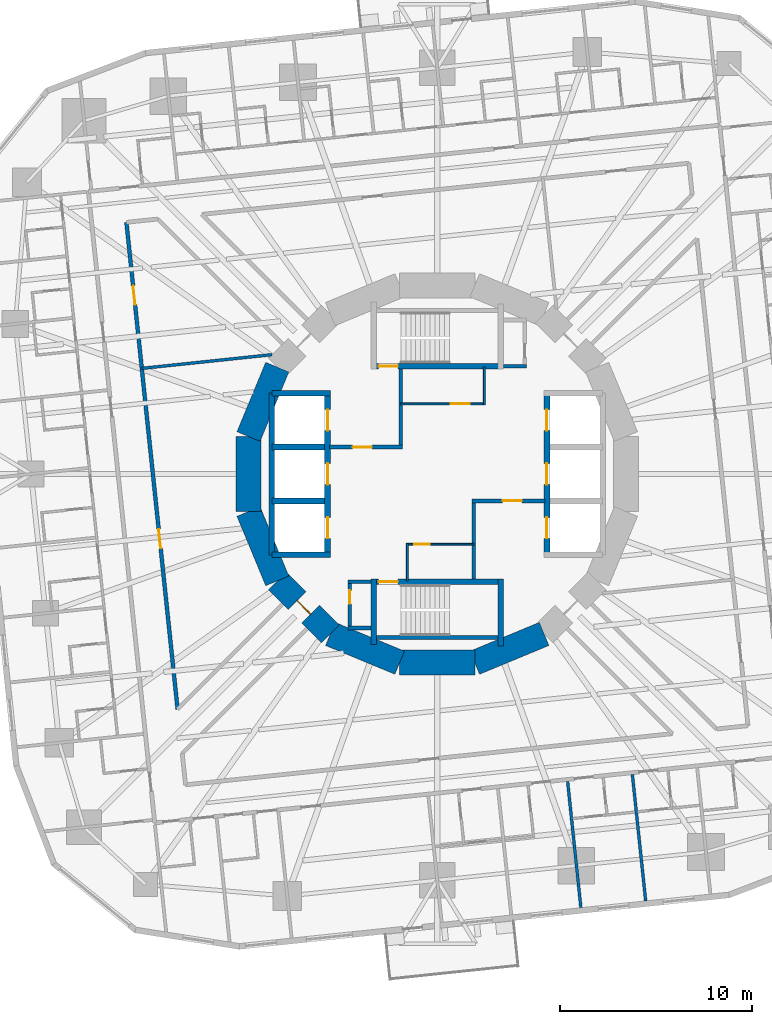
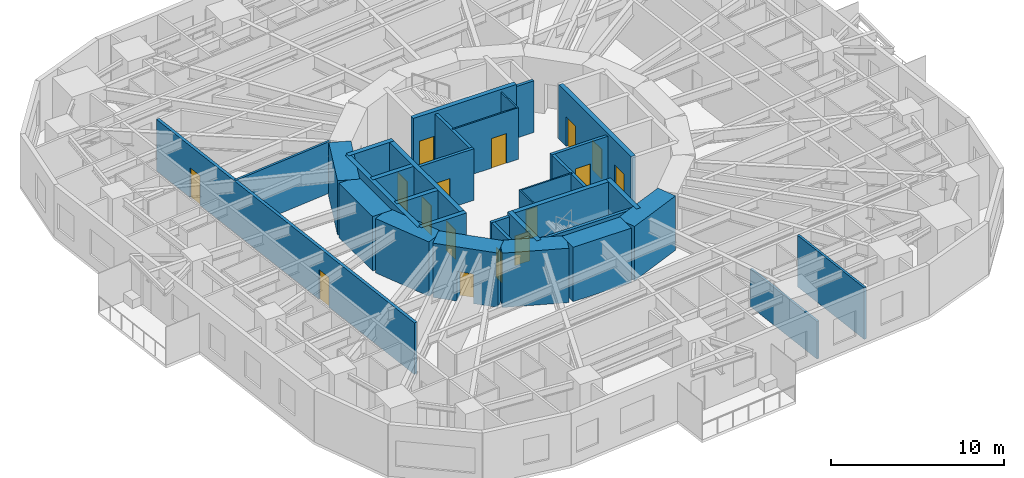
# One storey, part 7 of 15: 35 walls, 16 doors, 16 openings.
"""IFC4 building model written with IfcOpenShell, lengths in metres."""

from ifc_helpers import new_model, si_unit, direction, frame, frame_2d, origin, place, context, subcontext, project, spatial, rectangle, extrude, material, layer, layer_set, type_object, element, fill, save


model = new_model("IFC4")

# Units and contexts
model_context = context("Model", 3, precision=1e-05, world=origin(), true_north=direction((0.0, 1.0)))
body_context = subcontext(model_context, "Body", "Model", "MODEL_VIEW")
ifc_project = project(units=[si_unit("LENGTHUNIT", "METRE"), si_unit("AREAUNIT", "SQUARE_METRE"), si_unit("VOLUMEUNIT", "CUBIC_METRE"), si_unit("PLANEANGLEUNIT", "RADIAN"), si_unit("MASSUNIT", "GRAM", prefix="KILO")], contexts=[model_context])

# Site, building, storey
site_placement = place(None, origin())
site = spatial("IfcSite", under=ifc_project, at=site_placement, CompositionType="ELEMENT")
building_placement = place(site_placement, origin())
building = spatial("IfcBuilding", under=site, at=building_placement, Name="Nakasero Lantern House", CompositionType="ELEMENT")
storey_placement = place(building_placement, frame((0.0, 0.0, 64.35009765625)))
storey = spatial("IfcBuildingStorey", under=building, at=storey_placement, Name="L15", CompositionType="ELEMENT", Elevation=64.35009765625)

# Wall, openings, doors
ifc_material_1 = material(Name="Concrete C50/60", Category="concrete")
ifc_layer_1 = layer(ifc_material_1, 0.300048828125)
ifc_layer_set_1 = layer_set([ifc_layer_1], Name="Core inner wall 300")
wall_type_1 = type_object("IfcWallType", Name="Core inner wall 300", PredefinedType="SHEAR", material=ifc_layer_set_1)
wall_1_placement = place(storey_placement, frame((-5.699951171875, -4.199951171875, 0.0), z_axis=(0.0, 0.0, 1.0), x_axis=(0.0, 1.0, 0.0)))
wall_1 = element("IfcWall", 1, at=wall_1_placement, inside=storey, type_object=wall_type_1, Name="Core inner wall L15 LW", PredefinedType="SHEAR", context=body_context, shape_type="SweptSolid", body=[
    extrude(rectangle(XDim=8.39990234375, YDim=0.300048828125, at=frame_2d((4.199951171875, 0.0))), origin(), (0.0, 0.0, 1.0), 3.849853515625),
])
opening_1_placement = place(wall_1_placement, frame((0.85009765625, 0.0, 0.0)))
opening_1 = element("IfcOpeningElement", 2, at=opening_1_placement, cuts=wall_1, Name="Opening LD", PredefinedType="OPENING", context=body_context, shape_type="SweptSolid", body=[
    extrude(rectangle(XDim=1.10009765625, YDim=2.10009765625, at=frame_2d((0.550048828125, 1.050048828125))), frame((0.0, 0.169921875, 0.0), z_axis=(0.0, -1.0, 0.0), x_axis=(1.0, 0.0, 0.0)), (0.0, 0.0, 1.0), 0.340087890625),
])
opening_2_placement = place(wall_1_placement, frame((3.64990234375, 0.0, 0.0)))
opening_2 = element("IfcOpeningElement", 3, at=opening_2_placement, cuts=wall_1, Name="Opening LD", PredefinedType="OPENING", context=body_context, shape_type="SweptSolid", body=[
    extrude(rectangle(XDim=1.10009765625, YDim=2.10009765625, at=frame_2d((0.550048828125, 1.050048828125))), frame((0.0, 0.169921875, 0.0), z_axis=(0.0, -1.0, 0.0), x_axis=(1.0, 0.0, 0.0)), (0.0, 0.0, 1.0), 0.340087890625),
])
opening_3_placement = place(wall_1_placement, frame((6.449951171875, 0.0, 0.0)))
opening_3 = element("IfcOpeningElement", 4, at=opening_3_placement, cuts=wall_1, Name="Opening LD", PredefinedType="OPENING", context=body_context, shape_type="SweptSolid", body=[
    extrude(rectangle(XDim=1.10009765625, YDim=2.10009765625, at=frame_2d((0.550048828125, 1.050048828125))), frame((0.0, 0.169921875, 0.0), z_axis=(0.0, -1.0, 0.0), x_axis=(1.0, 0.0, 0.0)), (0.0, 0.0, 1.0), 0.340087890625),
])
ifc_material_2 = material(Name="Steel S355", Category="steel")
door_type_1 = type_object("IfcDoorType", Name="Lift landing door E120 1100", OperationType="SLIDING_TO_LEFT", PredefinedType="DOOR", material=ifc_material_2)
door_1_placement = place(opening_1_placement, origin())
door_1 = element("IfcDoor", 5, at=door_1_placement, inside=storey, type_object=door_type_1, Name="Lift landing door LW1", OperationType="SLIDING_TO_LEFT", OverallHeight=2.10009765625, OverallWidth=1.10009765625, PredefinedType="DOOR", context=body_context, shape_type="SweptSolid", body=[
    extrude(rectangle(XDim=1.10009765625, YDim=2.10009765625, at=frame_2d((0.550048828125, 1.050048828125))), frame((0.0, 0.02490234375, 0.0), z_axis=(0.0, -1.0, 0.0), x_axis=(1.0, 0.0, 0.0)), (0.0, 0.0, 1.0), 0.050048828125),
])
fill(opening_1, door_1)
door_2_placement = place(opening_2_placement, origin())
door_2 = element("IfcDoor", 6, at=door_2_placement, inside=storey, type_object=door_type_1, Name="Lift landing door LW2", OperationType="SLIDING_TO_LEFT", OverallHeight=2.10009765625, OverallWidth=1.10009765625, PredefinedType="DOOR", context=body_context, shape_type="SweptSolid", body=[
    extrude(rectangle(XDim=1.10009765625, YDim=2.10009765625, at=frame_2d((0.550048828125, 1.050048828125))), frame((0.0, 0.02490234375, 0.0), z_axis=(0.0, -1.0, 0.0), x_axis=(1.0, 0.0, 0.0)), (0.0, 0.0, 1.0), 0.050048828125),
])
fill(opening_2, door_2)
door_3_placement = place(opening_3_placement, origin())
door_3 = element("IfcDoor", 7, at=door_3_placement, inside=storey, type_object=door_type_1, Name="Lift landing door LW3", OperationType="SLIDING_TO_LEFT", OverallHeight=2.10009765625, OverallWidth=1.10009765625, PredefinedType="DOOR", context=body_context, shape_type="SweptSolid", body=[
    extrude(rectangle(XDim=1.10009765625, YDim=2.10009765625, at=frame_2d((0.550048828125, 1.050048828125))), frame((0.0, 0.02490234375, 0.0), z_axis=(0.0, -1.0, 0.0), x_axis=(1.0, 0.0, 0.0)), (0.0, 0.0, 1.0), 0.050048828125),
])
fill(opening_3, door_3)

wall_2_placement = place(storey_placement, frame((5.699951171875, -4.199951171875, 0.0), z_axis=(0.0, 0.0, 1.0), x_axis=(0.0, 1.0, 0.0)))
wall_2 = element("IfcWall", 8, at=wall_2_placement, inside=storey, type_object=wall_type_1, Name="Core inner wall L15 LE", PredefinedType="SHEAR", context=body_context, shape_type="SweptSolid", body=[
    extrude(rectangle(XDim=8.39990234375, YDim=0.300048828125, at=frame_2d((4.199951171875, 0.0))), origin(), (0.0, 0.0, 1.0), 3.849853515625),
])
opening_4_placement = place(wall_2_placement, frame((0.85009765625, 0.0, 0.0)))
opening_4 = element("IfcOpeningElement", 9, at=opening_4_placement, cuts=wall_2, Name="Opening LD", PredefinedType="OPENING", context=body_context, shape_type="SweptSolid", body=[
    extrude(rectangle(XDim=1.10009765625, YDim=2.10009765625, at=frame_2d((0.550048828125, 1.050048828125))), frame((0.0, 0.169921875, 0.0), z_axis=(0.0, -1.0, 0.0), x_axis=(1.0, 0.0, 0.0)), (0.0, 0.0, 1.0), 0.340087890625),
])
opening_5_placement = place(wall_2_placement, frame((3.64990234375, 0.0, 0.0)))
opening_5 = element("IfcOpeningElement", 10, at=opening_5_placement, cuts=wall_2, Name="Opening LD", PredefinedType="OPENING", context=body_context, shape_type="SweptSolid", body=[
    extrude(rectangle(XDim=1.10009765625, YDim=2.10009765625, at=frame_2d((0.550048828125, 1.050048828125))), frame((0.0, 0.169921875, 0.0), z_axis=(0.0, -1.0, 0.0), x_axis=(1.0, 0.0, 0.0)), (0.0, 0.0, 1.0), 0.340087890625),
])
opening_6_placement = place(wall_2_placement, frame((6.449951171875, 0.0, 0.0)))
opening_6 = element("IfcOpeningElement", 11, at=opening_6_placement, cuts=wall_2, Name="Opening LD", PredefinedType="OPENING", context=body_context, shape_type="SweptSolid", body=[
    extrude(rectangle(XDim=1.10009765625, YDim=2.10009765625, at=frame_2d((0.550048828125, 1.050048828125))), frame((0.0, 0.169921875, 0.0), z_axis=(0.0, -1.0, 0.0), x_axis=(1.0, 0.0, 0.0)), (0.0, 0.0, 1.0), 0.340087890625),
])
door_4_placement = place(opening_4_placement, origin())
door_4 = element("IfcDoor", 12, at=door_4_placement, inside=storey, type_object=door_type_1, Name="Lift landing door LE1", OperationType="SLIDING_TO_LEFT", OverallHeight=2.10009765625, OverallWidth=1.10009765625, PredefinedType="DOOR", context=body_context, shape_type="SweptSolid", body=[
    extrude(rectangle(XDim=1.10009765625, YDim=2.10009765625, at=frame_2d((0.550048828125, 1.050048828125))), frame((0.0, 0.02490234375, 0.0), z_axis=(0.0, -1.0, 0.0), x_axis=(1.0, 0.0, 0.0)), (0.0, 0.0, 1.0), 0.050048828125),
])
fill(opening_4, door_4)
door_5_placement = place(opening_5_placement, origin())
door_5 = element("IfcDoor", 13, at=door_5_placement, inside=storey, type_object=door_type_1, Name="Lift landing door LE2", OperationType="SLIDING_TO_LEFT", OverallHeight=2.10009765625, OverallWidth=1.10009765625, PredefinedType="DOOR", context=body_context, shape_type="SweptSolid", body=[
    extrude(rectangle(XDim=1.10009765625, YDim=2.10009765625, at=frame_2d((0.550048828125, 1.050048828125))), frame((0.0, 0.02490234375, 0.0), z_axis=(0.0, -1.0, 0.0), x_axis=(1.0, 0.0, 0.0)), (0.0, 0.0, 1.0), 0.050048828125),
])
fill(opening_5, door_5)
door_6_placement = place(opening_6_placement, origin())
door_6 = element("IfcDoor", 14, at=door_6_placement, inside=storey, type_object=door_type_1, Name="Lift landing door LE3", OperationType="SLIDING_TO_LEFT", OverallHeight=2.10009765625, OverallWidth=1.10009765625, PredefinedType="DOOR", context=body_context, shape_type="SweptSolid", body=[
    extrude(rectangle(XDim=1.10009765625, YDim=2.10009765625, at=frame_2d((0.550048828125, 1.050048828125))), frame((0.0, 0.02490234375, 0.0), z_axis=(0.0, -1.0, 0.0), x_axis=(1.0, 0.0, 0.0)), (0.0, 0.0, 1.0), 0.050048828125),
])
fill(opening_6, door_6)

# Walls
for number, where, z_axis, x_axis, name in (
    (15, (-8.60009765625, 4.199951171875, 0.0), (0.0, 0.0, 1.0), (1.0, 0.0, 0.0), "Core inner wall L15 LWN"),
    (16, (-8.60009765625, -4.199951171875, 0.0), (0.0, 0.0, 1.0), (1.0, 0.0, 0.0), "Core inner wall L15 LWS"),
):
    element("IfcWall", number, at=place(storey_placement, frame(where, z_axis=z_axis, x_axis=x_axis)), inside=storey, type_object=wall_type_1, Name=name, PredefinedType="SHEAR", context=body_context, shape_type="SweptSolid", body=[
        extrude(rectangle(XDim=3.050048828125, YDim=0.300048828125, at=frame_2d((1.52490234375, 0.0))), origin(), (0.0, 0.0, 1.0), 3.849853515625),
    ])
wall_3_placement = place(storey_placement, frame((-8.60009765625, -4.199951171875, 0.0), z_axis=(0.0, 0.0, 1.0), x_axis=(0.0, 1.0, 0.0)))
element("IfcWall", 17, at=wall_3_placement, inside=storey, type_object=wall_type_1, Name="Core inner wall L15 LWB", PredefinedType="SHEAR", context=body_context, shape_type="SweptSolid", body=[
    extrude(rectangle(XDim=8.39990234375, YDim=0.300048828125, at=frame_2d((4.199951171875, 0.0))), origin(), (0.0, 0.0, 1.0), 3.849853515625),
])
for number, where, z_axis, x_axis, name in (
    (18, (-8.60009765625, -1.39990234375, 0.0), (0.0, 0.0, 1.0), (1.0, 0.0, 0.0), "Core inner wall L15 LW1"),
    (19, (-8.60009765625, 1.39990234375, 0.0), (0.0, 0.0, 1.0), (1.0, 0.0, 0.0), "Core inner wall L15 LW2"),
):
    element("IfcWall", number, at=place(storey_placement, frame(where, z_axis=z_axis, x_axis=x_axis)), inside=storey, type_object=wall_type_1, Name=name, PredefinedType="SHEAR", context=body_context, shape_type="SweptSolid", body=[
        extrude(rectangle(XDim=2.75, YDim=0.300048828125, at=frame_2d((1.375, 0.0))), origin(), (0.0, 0.0, 1.0), 3.849853515625),
    ])

# Wall, opening, door
wall_4_placement = place(storey_placement, frame((-3.449951171875, 5.60009765625, 0.0), z_axis=(0.0, 0.0, 1.0), x_axis=(1.0, 0.0, 0.0)))
wall_4 = element("IfcWall", 20, at=wall_4_placement, inside=storey, type_object=wall_type_1, Name="Core inner wall L15 SN", PredefinedType="SHEAR", context=body_context, shape_type="SweptSolid", body=[
    extrude(rectangle(XDim=6.89990234375, YDim=0.300048828125, at=frame_2d((3.449951171875, 0.0))), origin(), (0.0, 0.0, 1.0), 3.849853515625),
])
opening_7_placement = place(wall_4_placement, frame((0.39990234375, 0.0, 0.0)))
opening_7 = element("IfcOpeningElement", 21, at=opening_7_placement, cuts=wall_4, Name="Opening D05", PredefinedType="OPENING", context=body_context, shape_type="SweptSolid", body=[
    extrude(rectangle(XDim=1.0, YDim=2.10009765625, at=frame_2d((0.5, 1.050048828125))), frame((0.0, 0.169921875, 0.0), z_axis=(0.0, -1.0, 0.0), x_axis=(1.0, 0.0, 0.0)), (0.0, 0.0, 1.0), 0.340087890625),
])
ifc_material_3 = material(Name="Timber C24", Category="wood")
door_type_2 = type_object("IfcDoorType", Name="Core door FD60S 1000", OperationType="SINGLE_SWING_LEFT", PredefinedType="DOOR", material=ifc_material_3)
door_7_placement = place(opening_7_placement, origin())
door_7 = element("IfcDoor", 22, at=door_7_placement, inside=storey, type_object=door_type_2, Name="Door L15 D-ST1", OperationType="SINGLE_SWING_LEFT", OverallHeight=2.10009765625, OverallWidth=1.0, PredefinedType="DOOR", context=body_context, shape_type="SweptSolid", body=[
    extrude(rectangle(XDim=1.0, YDim=2.10009765625, at=frame_2d((0.5, 1.050048828125))), frame((0.0, 0.02490234375, 0.0), z_axis=(0.0, -1.0, 0.0), x_axis=(1.0, 0.0, 0.0)), (0.0, 0.0, 1.0), 0.050048828125),
])
fill(opening_7, door_7)

wall_5_placement = place(storey_placement, frame((-3.449951171875, -5.60009765625, 0.0), z_axis=(0.0, 0.0, 1.0), x_axis=(1.0, 0.0, 0.0)))
wall_5 = element("IfcWall", 23, at=wall_5_placement, inside=storey, type_object=wall_type_1, Name="Core inner wall L15 SS", PredefinedType="SHEAR", context=body_context, shape_type="SweptSolid", body=[
    extrude(rectangle(XDim=6.89990234375, YDim=0.300048828125, at=frame_2d((3.449951171875, 0.0))), origin(), (0.0, 0.0, 1.0), 3.849853515625),
])
opening_8_placement = place(wall_5_placement, frame((0.39990234375, 0.0, 0.0)))
opening_8 = element("IfcOpeningElement", 24, at=opening_8_placement, cuts=wall_5, Name="Opening D05", PredefinedType="OPENING", context=body_context, shape_type="SweptSolid", body=[
    extrude(rectangle(XDim=1.0, YDim=2.10009765625, at=frame_2d((0.5, 1.050048828125))), frame((0.0, 0.169921875, 0.0), z_axis=(0.0, -1.0, 0.0), x_axis=(1.0, 0.0, 0.0)), (0.0, 0.0, 1.0), 0.340087890625),
])
door_8_placement = place(opening_8_placement, origin())
door_8 = element("IfcDoor", 25, at=door_8_placement, inside=storey, type_object=door_type_2, Name="Door L15 D-ST2", OperationType="SINGLE_SWING_LEFT", OverallHeight=2.10009765625, OverallWidth=1.0, PredefinedType="DOOR", context=body_context, shape_type="SweptSolid", body=[
    extrude(rectangle(XDim=1.0, YDim=2.10009765625, at=frame_2d((0.5, 1.050048828125))), frame((0.0, 0.02490234375, 0.0), z_axis=(0.0, -1.0, 0.0), x_axis=(1.0, 0.0, 0.0)), (0.0, 0.0, 1.0), 0.050048828125),
])
fill(opening_8, door_8)

# Walls
wall_6_placement = place(storey_placement, frame((-3.300048828125, -5.449951171875, 0.0), z_axis=(0.0, 0.0, 1.0), x_axis=(0.0, -1.0, 0.0)))
element("IfcWall", 26, at=wall_6_placement, inside=storey, type_object=wall_type_1, Name="Core inner wall L15 SSW", PredefinedType="SHEAR", context=body_context, shape_type="SweptSolid", body=[
    extrude(rectangle(XDim=3.400146484375, YDim=0.300048828125, at=frame_2d((1.7001953125, 0.0))), origin(), (0.0, 0.0, 1.0), 3.849853515625),
])
wall_7_placement = place(storey_placement, frame((3.300048828125, -5.449951171875, 0.0), z_axis=(0.0, 0.0, 1.0), x_axis=(0.0, -1.0, 0.0)))
element("IfcWall", 27, at=wall_7_placement, inside=storey, type_object=wall_type_1, Name="Core inner wall L15 SSE", PredefinedType="SHEAR", context=body_context, shape_type="SweptSolid", body=[
    extrude(rectangle(XDim=3.5, YDim=0.300048828125, at=frame_2d((1.75, 0.0))), origin(), (0.0, 0.0, 1.0), 3.849853515625),
])

# Wall, opening, door
ifc_material_4 = material(Name="Blockwork", Category="masonry")
ifc_layer_2 = layer(ifc_material_4, 0.10009765625)
ifc_layer_set_2 = layer_set([ifc_layer_2], Name="Core room wall 100")
wall_type_2 = type_object("IfcWallType", Name="Core room wall 100", PredefinedType="PARTITIONING", material=ifc_layer_set_2)
wall_8_placement = place(storey_placement, frame((-1.89990234375, 3.64990234375, 0.0), z_axis=(0.0, 0.0, 1.0), x_axis=(1.0, 0.0, 0.0)))
wall_8 = element("IfcWall", 28, at=wall_8_placement, inside=storey, type_object=wall_type_2, Name="Core room wall L15 CR-NES", PredefinedType="PARTITIONING", context=body_context, shape_type="SweptSolid", body=[
    extrude(rectangle(XDim=4.39990234375, YDim=0.10009765625, at=frame_2d((2.199951171875, 0.0))), origin(), (0.0, 0.0, 1.0), 3.64990234375),
])
opening_9_placement = place(wall_8_placement, frame((2.60009765625, 0.0, 0.0)))
opening_9 = element("IfcOpeningElement", 29, at=opening_9_placement, cuts=wall_8, Name="Opening D07", PredefinedType="OPENING", context=body_context, shape_type="SweptSolid", body=[
    extrude(rectangle(XDim=1.0, YDim=2.10009765625, at=frame_2d((0.5, 1.050048828125))), frame((0.0, 0.070068359375, 0.0), z_axis=(0.0, -1.0, 0.0), x_axis=(1.0, 0.0, 0.0)), (0.0, 0.0, 1.0), 0.14013671875),
])
ifc_material_5 = material(Name="Timber C24", Category="wood")
door_type_3 = type_object("IfcDoorType", Name="Room door FD30S 1000", OperationType="SINGLE_SWING_LEFT", PredefinedType="DOOR", material=ifc_material_5)
door_9_placement = place(opening_9_placement, origin())
door_9 = element("IfcDoor", 30, at=door_9_placement, inside=storey, type_object=door_type_3, Name="Door L15 D-CR-NE", OperationType="SINGLE_SWING_RIGHT", OverallHeight=2.10009765625, OverallWidth=1.0, PredefinedType="DOOR", context=body_context, shape_type="SweptSolid", body=[
    extrude(rectangle(XDim=1.0, YDim=2.10009765625, at=frame_2d((0.5, 1.050048828125))), frame((0.0, 0.02490234375, 0.0), z_axis=(0.0, -1.0, 0.0), x_axis=(1.0, 0.0, 0.0)), (0.0, 0.0, 1.0), 0.050048828125),
])
fill(opening_9, door_9)

# Wall
wall_9_placement = place(storey_placement, frame((2.449951171875, 3.60009765625, 0.0), z_axis=(0.0, 0.0, 1.0), x_axis=(0.0, 1.0, 0.0)))
element("IfcWall", 31, at=wall_9_placement, inside=storey, type_object=wall_type_2, Name="Core room wall L15 CR-NEE", PredefinedType="PARTITIONING", context=body_context, shape_type="SweptSolid", body=[
    extrude(rectangle(XDim=1.949951171875, YDim=0.10009765625, at=frame_2d((0.97509765625, 0.0))), origin(), (0.0, 0.0, 1.0), 3.64990234375),
])

# Wall, opening, door
wall_10_placement = place(storey_placement, frame((-1.60009765625, -3.64990234375, 0.0), z_axis=(0.0, 0.0, 1.0), x_axis=(1.0, 0.0, 0.0)))
wall_10 = element("IfcWall", 32, at=wall_10_placement, inside=storey, type_object=wall_type_2, Name="Core room wall L15 CR-SWN", PredefinedType="PARTITIONING", context=body_context, shape_type="SweptSolid", body=[
    extrude(rectangle(XDim=3.5, YDim=0.10009765625, at=frame_2d((1.75, 0.0))), origin(), (0.0, 0.0, 1.0), 3.64990234375),
])
opening_10_placement = place(wall_10_placement, frame((0.39990234375, 0.0, 0.0)))
opening_10 = element("IfcOpeningElement", 33, at=opening_10_placement, cuts=wall_10, Name="Opening D15", PredefinedType="OPENING", context=body_context, shape_type="SweptSolid", body=[
    extrude(rectangle(XDim=0.800048828125, YDim=2.10009765625, at=frame_2d((0.39990234375, 1.050048828125))), frame((0.0, 0.070068359375, 0.0), z_axis=(0.0, -1.0, 0.0), x_axis=(1.0, 0.0, 0.0)), (0.0, 0.0, 1.0), 0.14013671875),
])
ifc_material_6 = material(Name="Timber C24", Category="wood")
door_type_4 = type_object("IfcDoorType", Name="Cleaner's store door FD30S 800", OperationType="SINGLE_SWING_LEFT", PredefinedType="DOOR", material=ifc_material_6)
door_10_placement = place(opening_10_placement, origin())
door_10 = element("IfcDoor", 34, at=door_10_placement, inside=storey, type_object=door_type_4, Name="Door L15 D-CR-SW", OperationType="SINGLE_SWING_LEFT", OverallHeight=2.10009765625, OverallWidth=0.800048828125, PredefinedType="DOOR", context=body_context, shape_type="SweptSolid", body=[
    extrude(rectangle(XDim=0.800048828125, YDim=2.10009765625, at=frame_2d((0.39990234375, 1.050048828125))), frame((0.0, 0.02490234375, 0.0), z_axis=(0.0, -1.0, 0.0), x_axis=(1.0, 0.0, 0.0)), (0.0, 0.0, 1.0), 0.050048828125),
])
fill(opening_10, door_10)

# Walls
wall_11_placement = place(storey_placement, frame((-1.550048828125, -5.550048828125, 0.0), z_axis=(0.0, 0.0, 1.0), x_axis=(0.0, 1.0, 0.0)))
element("IfcWall", 35, at=wall_11_placement, inside=storey, type_object=wall_type_2, Name="Core room wall L15 CR-SWW", PredefinedType="PARTITIONING", context=body_context, shape_type="SweptSolid", body=[
    extrude(rectangle(XDim=1.949951171875, YDim=0.10009765625, at=frame_2d((0.97509765625, 0.0))), origin(), (0.0, 0.0, 1.0), 3.64990234375),
])
ifc_material_7 = material(Name="Concrete C50/60", Category="concrete")
ifc_layer_3 = layer(ifc_material_7, 1.300048828125)
ifc_layer_set_3 = layer_set([ifc_layer_3], Name="Core wall 1300")
wall_type_3 = type_object("IfcWallType", Name="Core wall 1300", PredefinedType="SHEAR", material=ifc_layer_set_3)
for number, where, z_axis, x_axis, name in (
    (36, (-8.314697265625, 5.5556640625, 0.0), (0.0, 0.0, 1.0), (-0.382690736062, -0.923876507187, 0.0), "Core wall L15 facet 7"),
    (37, (-9.807861328125, 1.950927734375, 0.0), (0.0, 0.0, 1.0), (0.0, -1.0, 0.0), "Core wall L15 facet 8"),
    (38, (-9.807861328125, -1.950927734375, 0.0), (0.0, 0.0, 1.0), (0.382690736062, -0.923876507187, 0.0), "Core wall L15 facet 9"),
):
    element("IfcWall", number, at=place(storey_placement, frame(where, z_axis=z_axis, x_axis=x_axis)), inside=storey, type_object=wall_type_3, Name=name, PredefinedType="SHEAR", context=body_context, shape_type="SweptSolid", body=[
        extrude(rectangle(XDim=3.90185546875, YDim=1.300048828125, at=frame_2d((1.950927734375, 0.0))), origin(), (0.0, 0.0, 1.0), 3.849853515625),
    ])

# Wall, opening, door
wall_12_placement = place(storey_placement, frame((-8.314697265625, -5.5556640625, 0.0), z_axis=(0.0, 0.0, 1.0), x_axis=(0.707106781187, -0.707106781187, 0.0)))
wall_12 = element("IfcWall", 39, at=wall_12_placement, inside=storey, type_object=wall_type_3, Name="Core wall L15 facet 10", PredefinedType="SHEAR", context=body_context, shape_type="SweptSolid", body=[
    extrude(rectangle(XDim=3.90185546875, YDim=1.300048828125, at=frame_2d((1.950927734375, 0.0))), origin(), (0.0, 0.0, 1.0), 3.849853515625),
])
opening_11_placement = place(wall_12_placement, frame((1.450927734375, 0.0, 0.0)))
opening_11 = element("IfcOpeningElement", 40, at=opening_11_placement, cuts=wall_12, Name="Opening D05", PredefinedType="OPENING", context=body_context, shape_type="SweptSolid", body=[
    extrude(rectangle(XDim=1.0, YDim=2.10009765625, at=frame_2d((0.5, 1.050048828125))), frame((0.0, 0.669921875, 0.0), z_axis=(0.0, -1.0, 0.0), x_axis=(1.0, 0.0, 0.0)), (0.0, 0.0, 1.0), 1.340087890625),
])
door_11_placement = place(opening_11_placement, origin())
door_11 = element("IfcDoor", 41, at=door_11_placement, inside=storey, type_object=door_type_2, Name="Door L15 D-CORE10", OperationType="SINGLE_SWING_LEFT", OverallHeight=2.10009765625, OverallWidth=1.0, PredefinedType="DOOR", context=body_context, shape_type="SweptSolid", body=[
    extrude(rectangle(XDim=1.0, YDim=2.10009765625, at=frame_2d((0.5, 1.050048828125))), frame((0.0, 0.02490234375, 0.0), z_axis=(0.0, -1.0, 0.0), x_axis=(1.0, 0.0, 0.0)), (0.0, 0.0, 1.0), 0.050048828125),
])
fill(opening_11, door_11)

# Walls
for number, where, z_axis, x_axis, name in (
    (42, (-5.5556640625, -8.314697265625, 0.0), (0.0, 0.0, 1.0), (0.923876507187, -0.382690736062, 0.0), "Core wall L15 facet 11"),
    (43, (-1.950927734375, -9.807861328125, 0.0), (0.0, 0.0, 1.0), (1.0, 0.0, 0.0), "Core wall L15 facet 12"),
    (44, (1.950927734375, -9.807861328125, 0.0), (0.0, 0.0, 1.0), (0.923876507187, 0.382690736062, 0.0), "Core wall L15 facet 13"),
):
    element("IfcWall", number, at=place(storey_placement, frame(where, z_axis=z_axis, x_axis=x_axis)), inside=storey, type_object=wall_type_3, Name=name, PredefinedType="SHEAR", context=body_context, shape_type="SweptSolid", body=[
        extrude(rectangle(XDim=3.90185546875, YDim=1.300048828125, at=frame_2d((1.950927734375, 0.0))), origin(), (0.0, 0.0, 1.0), 3.849853515625),
    ])

# Wall, openings, doors
ifc_material_8 = material(Name="Blockwork", Category="masonry")
ifc_layer_4 = layer(ifc_material_8, 0.199951171875)
ifc_layer_set_4 = layer_set([ifc_layer_4], Name="Corridor wall 200")
wall_type_4 = type_object("IfcWallType", Name="Corridor wall 200", PredefinedType="PARTITIONING", material=ifc_layer_set_4)
wall_13_placement = place(storey_placement, frame((-16.156005859375, 13.0830078125, 0.0), z_axis=(0.0, 0.0, 1.0), x_axis=(0.104522963916, -0.994522473358, 0.0)))
wall_13 = element("IfcWall", 45, at=wall_13_placement, inside=storey, type_object=wall_type_4, Name="Corridor wall L15 IW2-0", PredefinedType="PARTITIONING", context=body_context, shape_type="SweptSolid", body=[
    extrude(rectangle(XDim=25.44580078125, YDim=0.199951171875, at=frame_2d((12.722900390625, 0.0))), origin(), (0.0, 0.0, 1.0), 3.64990234375),
])
opening_12_placement = place(wall_13_placement, frame((3.31689453125, 0.0, 0.0)))
opening_12 = element("IfcOpeningElement", 46, at=opening_12_placement, cuts=wall_13, Name="Opening D07", PredefinedType="OPENING", context=body_context, shape_type="SweptSolid", body=[
    extrude(rectangle(XDim=1.0, YDim=2.10009765625, at=frame_2d((0.5, 1.050048828125))), frame((0.0, 0.119873046875, 0.0), z_axis=(0.0, -1.0, 0.0), x_axis=(1.0, 0.0, 0.0)), (0.0, 0.0, 1.0), 0.239990234375),
])
opening_13_placement = place(wall_13_placement, frame((16.039794921875, 0.0, 0.0)))
opening_13 = element("IfcOpeningElement", 47, at=opening_13_placement, cuts=wall_13, Name="Opening D07", PredefinedType="OPENING", context=body_context, shape_type="SweptSolid", body=[
    extrude(rectangle(XDim=1.0, YDim=2.10009765625, at=frame_2d((0.5, 1.050048828125))), frame((0.0, 0.119873046875, 0.0), z_axis=(0.0, -1.0, 0.0), x_axis=(1.0, 0.0, 0.0)), (0.0, 0.0, 1.0), 0.239990234375),
])
door_12_placement = place(opening_12_placement, origin())
door_12 = element("IfcDoor", 48, at=door_12_placement, inside=storey, type_object=door_type_3, Name="Door L15 DI4", OperationType="SINGLE_SWING_LEFT", OverallHeight=2.10009765625, OverallWidth=1.0, PredefinedType="DOOR", context=body_context, shape_type="SweptSolid", body=[
    extrude(rectangle(XDim=1.0, YDim=2.10009765625, at=frame_2d((0.5, 1.050048828125))), frame((0.0, 0.02490234375, 0.0), z_axis=(0.0, -1.0, 0.0), x_axis=(1.0, 0.0, 0.0)), (0.0, 0.0, 1.0), 0.050048828125),
])
fill(opening_12, door_12)
door_13_placement = place(opening_13_placement, origin())
door_13 = element("IfcDoor", 49, at=door_13_placement, inside=storey, type_object=door_type_3, Name="Door L15 DI4S", OperationType="SINGLE_SWING_RIGHT", OverallHeight=2.10009765625, OverallWidth=1.0, PredefinedType="DOOR", context=body_context, shape_type="SweptSolid", body=[
    extrude(rectangle(XDim=1.0, YDim=2.10009765625, at=frame_2d((0.5, 1.050048828125))), frame((0.0, 0.02490234375, 0.0), z_axis=(0.0, -1.0, 0.0), x_axis=(1.0, 0.0, 0.0)), (0.0, 0.0, 1.0), 0.050048828125),
])
fill(opening_13, door_13)

# Wall, opening, door
ifc_material_9 = material(Name="Blockwork", Category="masonry")
ifc_layer_5 = layer(ifc_material_9, 0.199951171875)
ifc_layer_set_5 = layer_set([ifc_layer_5], Name="Fire lobby wall 200")
wall_type_5 = type_object("IfcWallType", Name="Fire lobby wall 200", PredefinedType="PARTITIONING", material=ifc_layer_set_5)
wall_14_placement = place(storey_placement, frame((-5.60009765625, 1.39990234375, 0.0), z_axis=(0.0, 0.0, 1.0), x_axis=(1.0, 0.0, 0.0)))
wall_14 = element("IfcWall", 50, at=wall_14_placement, inside=storey, type_object=wall_type_5, Name="Fire lobby wall L15 W-FL1S", PredefinedType="PARTITIONING", context=body_context, shape_type="SweptSolid", body=[
    extrude(rectangle(XDim=3.800048828125, YDim=0.199951171875, at=frame_2d((1.89990234375, 0.0))), origin(), (0.0, 0.0, 1.0), 3.64990234375),
])
opening_14_placement = place(wall_14_placement, frame((1.199951171875, 0.0, 0.0)))
opening_14 = element("IfcOpeningElement", 51, at=opening_14_placement, cuts=wall_14, Name="Opening D05", PredefinedType="OPENING", context=body_context, shape_type="SweptSolid", body=[
    extrude(rectangle(XDim=1.0, YDim=2.10009765625, at=frame_2d((0.5, 1.050048828125))), frame((0.0, 0.119873046875, 0.0), z_axis=(0.0, -1.0, 0.0), x_axis=(1.0, 0.0, 0.0)), (0.0, 0.0, 1.0), 0.239990234375),
])
door_14_placement = place(opening_14_placement, origin())
door_14 = element("IfcDoor", 52, at=door_14_placement, inside=storey, type_object=door_type_2, Name="Door L15 D-FL1", OperationType="SINGLE_SWING_LEFT", OverallHeight=2.10009765625, OverallWidth=1.0, PredefinedType="DOOR", context=body_context, shape_type="SweptSolid", body=[
    extrude(rectangle(XDim=1.0, YDim=2.10009765625, at=frame_2d((0.5, 1.050048828125))), frame((0.0, 0.02490234375, 0.0), z_axis=(0.0, -1.0, 0.0), x_axis=(1.0, 0.0, 0.0)), (0.0, 0.0, 1.0), 0.050048828125),
])
fill(opening_14, door_14)

# Wall
wall_15_placement = place(storey_placement, frame((-1.89990234375, 1.5, 0.0), z_axis=(0.0, 0.0, 1.0), x_axis=(0.0, 1.0, 0.0)))
element("IfcWall", 53, at=wall_15_placement, inside=storey, type_object=wall_type_5, Name="Fire lobby wall L15 W-FL1E", PredefinedType="PARTITIONING", context=body_context, shape_type="SweptSolid", body=[
    extrude(rectangle(XDim=3.949951171875, YDim=0.199951171875, at=frame_2d((1.97509765625, 0.0))), origin(), (0.0, 0.0, 1.0), 3.64990234375),
])

# Wall, opening, door
wall_16_placement = place(storey_placement, frame((5.60009765625, -1.39990234375, 0.0), z_axis=(0.0, 0.0, 1.0), x_axis=(-1.0, 0.0, 0.0)))
wall_16 = element("IfcWall", 54, at=wall_16_placement, inside=storey, type_object=wall_type_5, Name="Fire lobby wall L15 W-FL2N", PredefinedType="PARTITIONING", context=body_context, shape_type="SweptSolid", body=[
    extrude(rectangle(XDim=3.800048828125, YDim=0.199951171875, at=frame_2d((1.89990234375, 0.0))), origin(), (0.0, 0.0, 1.0), 3.64990234375),
])
opening_15_placement = place(wall_16_placement, frame((1.199951171875, 0.0, 0.0)))
opening_15 = element("IfcOpeningElement", 55, at=opening_15_placement, cuts=wall_16, Name="Opening D05", PredefinedType="OPENING", context=body_context, shape_type="SweptSolid", body=[
    extrude(rectangle(XDim=1.0, YDim=2.10009765625, at=frame_2d((0.5, 1.050048828125))), frame((0.0, 0.119873046875, 0.0), z_axis=(0.0, -1.0, 0.0), x_axis=(1.0, 0.0, 0.0)), (0.0, 0.0, 1.0), 0.239990234375),
])
door_15_placement = place(opening_15_placement, origin())
door_15 = element("IfcDoor", 56, at=door_15_placement, inside=storey, type_object=door_type_2, Name="Door L15 D-FL2", OperationType="SINGLE_SWING_LEFT", OverallHeight=2.10009765625, OverallWidth=1.0, PredefinedType="DOOR", context=body_context, shape_type="SweptSolid", body=[
    extrude(rectangle(XDim=1.0, YDim=2.10009765625, at=frame_2d((0.5, 1.050048828125))), frame((0.0, 0.02490234375, 0.0), z_axis=(0.0, -1.0, 0.0), x_axis=(1.0, 0.0, 0.0)), (0.0, 0.0, 1.0), 0.050048828125),
])
fill(opening_15, door_15)

# Walls
wall_17_placement = place(storey_placement, frame((1.89990234375, -1.5, 0.0), z_axis=(0.0, 0.0, 1.0), x_axis=(0.0, -1.0, 0.0)))
element("IfcWall", 57, at=wall_17_placement, inside=storey, type_object=wall_type_5, Name="Fire lobby wall L15 W-FL2W", PredefinedType="PARTITIONING", context=body_context, shape_type="SweptSolid", body=[
    extrude(rectangle(XDim=3.949951171875, YDim=0.199951171875, at=frame_2d((1.97509765625, 0.0))), origin(), (0.0, 0.0, 1.0), 3.64990234375),
])
wall_18_placement = place(storey_placement, frame((3.449951171875, 5.60009765625, 0.0), z_axis=(0.0, 0.0, 1.0), x_axis=(1.0, 0.0, 0.0)))
element("IfcWall", 58, at=wall_18_placement, inside=storey, type_object=wall_type_5, Name="Fire lobby wall L15 W-RS1S", PredefinedType="PARTITIONING", context=body_context, shape_type="SweptSolid", body=[
    extrude(rectangle(XDim=1.199951171875, YDim=0.199951171875, at=frame_2d((0.60009765625, 0.0))), origin(), (0.0, 0.0, 1.0), 3.64990234375),
])

# Wall, opening, door
wall_19_placement = place(storey_placement, frame((-4.550048828125, -5.60009765625, 0.0), z_axis=(0.0, 0.0, 1.0), x_axis=(0.0, -1.0, 0.0)))
wall_19 = element("IfcWall", 59, at=wall_19_placement, inside=storey, type_object=wall_type_5, Name="Fire lobby wall L15 W-RS2W", PredefinedType="PARTITIONING", context=body_context, shape_type="SweptSolid", body=[
    extrude(rectangle(XDim=2.39990234375, YDim=0.199951171875, at=frame_2d((1.199951171875, 0.0))), origin(), (0.0, 0.0, 1.0), 3.64990234375),
])
opening_16_placement = place(wall_19_placement, frame((0.449951171875, 0.0, 0.0)))
opening_16 = element("IfcOpeningElement", 60, at=opening_16_placement, cuts=wall_19, Name="Opening D06", PredefinedType="OPENING", context=body_context, shape_type="SweptSolid", body=[
    extrude(rectangle(XDim=0.699951171875, YDim=2.10009765625, at=frame_2d((0.35009765625, 1.050048828125))), frame((0.0, 0.119873046875, 0.0), z_axis=(0.0, -1.0, 0.0), x_axis=(1.0, 0.0, 0.0)), (0.0, 0.0, 1.0), 0.239990234375),
])
ifc_material_10 = material(Name="Steel S355", Category="steel")
door_type_5 = type_object("IfcDoorType", Name="Riser door FD60 700", OperationType="SINGLE_SWING_LEFT", PredefinedType="DOOR", material=ifc_material_10)
door_16_placement = place(opening_16_placement, origin())
door_16 = element("IfcDoor", 61, at=door_16_placement, inside=storey, type_object=door_type_5, Name="Door L15 D-RS2", OperationType="SINGLE_SWING_LEFT", OverallHeight=2.10009765625, OverallWidth=0.699951171875, PredefinedType="DOOR", context=body_context, shape_type="SweptSolid", body=[
    extrude(rectangle(XDim=0.699951171875, YDim=2.10009765625, at=frame_2d((0.35009765625, 1.050048828125))), frame((0.0, 0.02490234375, 0.0), z_axis=(0.0, -1.0, 0.0), x_axis=(1.0, 0.0, 0.0)), (0.0, 0.0, 1.0), 0.050048828125),
])
fill(opening_16, door_16)

# Walls
for number, where, z_axis, x_axis, name in (
    (62, (-3.449951171875, -8.0, 0.0), (0.0, 0.0, 1.0), (-1.0, 0.0, 0.0), "Fire lobby wall L15 W-RS2S"),
    (63, (-3.449951171875, -5.60009765625, 0.0), (0.0, 0.0, 1.0), (-1.0, 0.0, 0.0), "Fire lobby wall L15 W-RS2N"),
):
    element("IfcWall", number, at=place(storey_placement, frame(where, z_axis=z_axis, x_axis=x_axis)), inside=storey, type_object=wall_type_5, Name=name, PredefinedType="PARTITIONING", context=body_context, shape_type="SweptSolid", body=[
        extrude(rectangle(XDim=1.199951171875, YDim=0.199951171875, at=frame_2d((0.60009765625, 0.0))), origin(), (0.0, 0.0, 1.0), 3.64990234375),
    ])
wall_20_placement = place(storey_placement, frame((-3.300048828125, -8.5, 0.0), z_axis=(0.0, 0.0, 1.0), x_axis=(1.0, 0.0, 0.0)))
element("IfcWall", 64, at=wall_20_placement, inside=storey, type_object=wall_type_5, Name="Fire lobby wall L15 W-STS", PredefinedType="PARTITIONING", context=body_context, shape_type="SweptSolid", body=[
    extrude(rectangle(XDim=6.60009765625, YDim=0.199951171875, at=frame_2d((3.300048828125, 0.0))), origin(), (0.0, 0.0, 1.0), 3.64990234375),
])
ifc_material_11 = material(Name="Blockwork", Category="masonry")
ifc_layer_6 = layer(ifc_material_11, 0.14990234375)
ifc_layer_set_6 = layer_set([ifc_layer_6], Name="Party wall 150")
wall_type_6 = type_object("IfcWallType", Name="Party wall 150", PredefinedType="PARTITIONING", material=ifc_layer_set_6)
wall_21_placement = place(storey_placement, frame((6.77734375, -15.97900390625, 0.0), z_axis=(0.0, 0.0, 1.0), x_axis=(0.104534592565, -0.994521251134, 0.0)))
element("IfcWall", 65, at=wall_21_placement, inside=storey, type_object=wall_type_6, Name="Party wall L15 PW3-06", PredefinedType="PARTITIONING", context=body_context, shape_type="SweptSolid", body=[
    extrude(rectangle(XDim=6.60009765625, YDim=0.14990234375, at=frame_2d((3.300048828125, 0.0))), origin(), (0.0, 0.0, 1.0), 2.669921875),
])
wall_22_placement = place(storey_placement, frame((10.14453125, -15.625244140625, 0.0), z_axis=(0.0, 0.0, 1.0), x_axis=(0.104501850668, -0.994524692105, 0.0)))
element("IfcWall", 66, at=wall_22_placement, inside=storey, type_object=wall_type_6, Name="Party wall L15 PW3-07", PredefinedType="PARTITIONING", context=body_context, shape_type="SweptSolid", body=[
    extrude(rectangle(XDim=6.599853515625, YDim=0.14990234375, at=frame_2d((3.2998046875, 0.0))), origin(), (0.0, 0.0, 1.0), 3.64990234375),
])
wall_23_placement = place(storey_placement, frame((-8.5869140625, 6.20263671875, 0.0), z_axis=(0.0, 0.0, 1.0), x_axis=(-0.99452214126, -0.104526123734, 0.0)))
element("IfcWall", 67, at=wall_23_placement, inside=storey, type_object=wall_type_6, Name="Party wall L15 IS4", PredefinedType="PARTITIONING", context=body_context, shape_type="SweptSolid", body=[
    extrude(rectangle(XDim=6.80859375, YDim=0.14990234375, at=frame_2d((3.404296875, 0.0))), origin(), (0.0, 0.0, 1.0), 3.64990234375),
])

save(model, "model.ifc")
